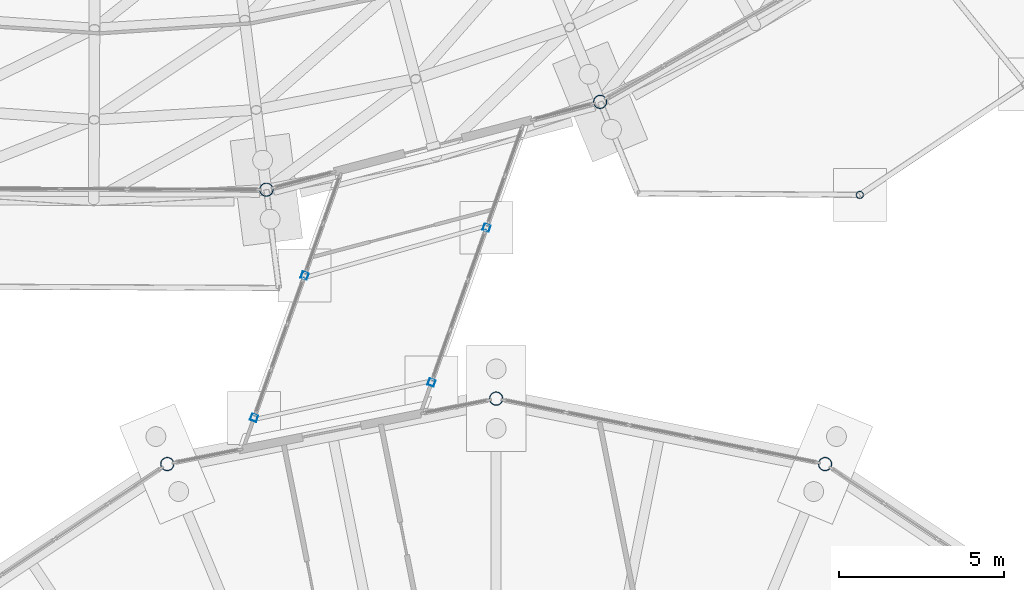
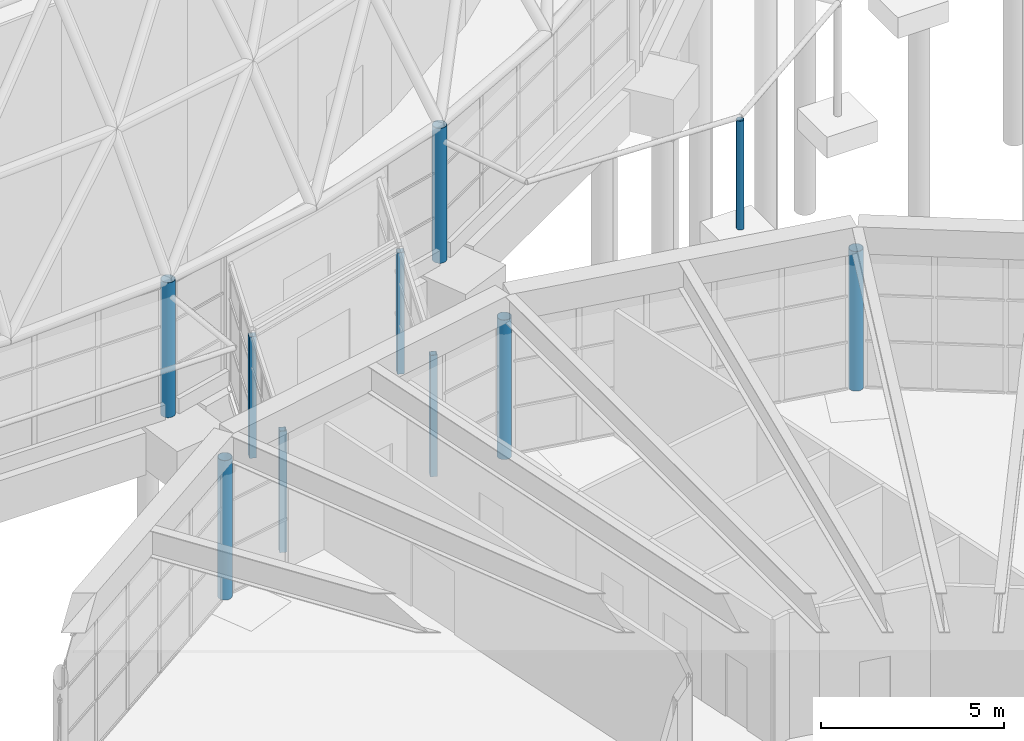
# One storey, part 32 of 226: 10 columns.
"""IFC4 building model written with IfcOpenShell, lengths in metres."""

from ifc_helpers import new_model, si_unit, direction, frame, origin, origin_2d, place, context, subcontext, project, spatial, hollow_rectangle, hollow_circle, extrude, material, material_profile, profile_set, type_object, element, save


model = new_model("IFC4")

# Units and contexts
model_context = context("Model", 3, precision=1e-05, world=origin(), true_north=direction((0.0, 1.0)))
body_context = subcontext(model_context, "Body", "Model", "MODEL_VIEW")
ifc_project = project(units=[si_unit("LENGTHUNIT", "METRE"), si_unit("AREAUNIT", "SQUARE_METRE"), si_unit("VOLUMEUNIT", "CUBIC_METRE"), si_unit("PLANEANGLEUNIT", "RADIAN"), si_unit("MASSUNIT", "GRAM", prefix="KILO")], contexts=[model_context])

# Site, building, storey
site_placement = place(None, origin())
site = spatial("IfcSite", under=ifc_project, at=site_placement, CompositionType="ELEMENT")
building_placement = place(site_placement, origin())
building = spatial("IfcBuilding", under=site, at=building_placement, Name="Ceibo Conservatory and Research Tower", CompositionType="ELEMENT")
storey_placement = place(building_placement, origin())
storey = spatial("IfcBuildingStorey", under=building, at=storey_placement, Name="L00", CompositionType="ELEMENT", Elevation=0.0)

# Columns
ifc_material_1 = material(Name="Steel ASTM A500 Gr C", Category="steel")
ifc_material_profile_1 = material_profile(ifc_material_1, hollow_circle(Radius=0.109619140625, WallThickness=0.00830078125, at=origin_2d()), Name="CHS column 219.1x8.18")
ifc_profile_set_1 = profile_set([ifc_material_profile_1], Name="Steel ASTM A500 Gr C")
column_type_1 = type_object("IfcColumnType", Name="CHS column 219.1x8.18", PredefinedType="COLUMN", material=ifc_profile_set_1)
column_placement = place(storey_placement, frame((179.0, 68.162841796875, 0.0), z_axis=(0.0, 0.0, 1.0), x_axis=(1.0, 0.0, 0.0)))
element("IfcColumn", 1, at=column_placement, inside=storey, type_object=column_type_1, Name="Colonnade column A-CL01", PredefinedType="COLUMN", context=body_context, shape_type="SweptSolid", body=[
    extrude(hollow_circle(Radius=0.109619140625, WallThickness=0.00830078125, at=origin_2d()), origin(), (0.0, 0.0, 1.0), 3.62841796875),
])
ifc_material_profile_2 = material_profile(ifc_material_1, hollow_circle(Radius=0.203125, WallThickness=0.0126953125, at=origin_2d()), Name="CHS column 406.4x12.70")
ifc_profile_set_2 = profile_set([ifc_material_profile_2], Name="Steel ASTM A500 Gr C")
column_type_2 = type_object("IfcColumnType", Name="CHS column 406.4x12.70", PredefinedType="COLUMN", material=ifc_profile_set_2)
for number, where, z_axis, x_axis, name in (
    (2, (161.0478515625, 68.31982421875, 0.0), (0.0, 0.0, 1.0), (1.0, 0.0, 0.0), "Drum column A-DC19"),
    (3, (171.14599609375, 70.978271484375, 0.0), (0.0, 0.0, 1.0), (1.0, 0.0, 0.0), "Drum column A-DC20"),
):
    element("IfcColumn", number, at=place(storey_placement, frame(where, z_axis=z_axis, x_axis=x_axis)), inside=storey, type_object=column_type_2, Name=name, PredefinedType="COLUMN", context=body_context, shape_type="SweptSolid", body=[
        extrude(hollow_circle(Radius=0.203125, WallThickness=0.0126953125, at=origin_2d()), origin(), (0.0, 0.0, 1.0), 4.5),
    ])
for number, where, z_axis, x_axis, name in (
    (4, (177.94970703125, 60.020751953125, 0.0), (0.0, 0.0, 1.0), (1.0, 0.0, 0.0), "Pavilion column VC-C04"),
    (5, (168.0, 62.0, 0.0), (0.0, 0.0, 1.0), (1.0, 0.0, 0.0), "Pavilion column VC-C05"),
    (6, (158.05029296875, 60.020751953125, 0.0), (0.0, 0.0, 1.0), (1.0, 0.0, 0.0), "Pavilion column VC-C06"),
):
    element("IfcColumn", number, at=place(storey_placement, frame(where, z_axis=z_axis, x_axis=x_axis)), inside=storey, type_object=column_type_2, Name=name, PredefinedType="COLUMN", context=body_context, shape_type="SweptSolid", body=[
        extrude(hollow_circle(Radius=0.203125, WallThickness=0.0126953125, at=origin_2d()), origin(), (0.0, 0.0, 1.0), 4.64892578125),
    ])
ifc_material_2 = material(Name="Steel S355J2H", Category="steel")
ifc_material_profile_3 = material_profile(ifc_material_2, hollow_rectangle(XDim=0.199951171875, YDim=0.199951171875, WallThickness=0.010009765625, at=origin_2d()), Name="RHS column 200x200x10")
ifc_profile_set_3 = profile_set([ifc_material_profile_3], Name="Steel S355J2H")
column_type_3 = type_object("IfcColumnType", Name="RHS column 200x200x10", PredefinedType="COLUMN", material=ifc_profile_set_3)
for number, where, z_axis, x_axis, name in (
    (7, (167.70947265625, 67.170166015625, -0.25), (0.0, 0.0, 1.0), (-0.335040023954, -0.942203896378, 0.0), "Gallery column A-VC-CN01"),
    (8, (162.2060546875, 65.72119140625, -0.25), (0.0, 0.0, 1.0), (-0.335040023954, -0.942203896378, 0.0), "Gallery column A-VC-CS01"),
    (9, (166.044189453125, 62.486572265625, -0.25), (0.0, 0.0, 1.0), (-0.335040023954, -0.942203896378, 0.0), "Gallery column A-VC-CN02"),
    (10, (160.67626953125, 61.418701171875, -0.25), (0.0, 0.0, 1.0), (-0.335040023954, -0.942203896378, 0.0), "Gallery column A-VC-CS02"),
):
    element("IfcColumn", number, at=place(storey_placement, frame(where, z_axis=z_axis, x_axis=x_axis)), inside=storey, type_object=column_type_3, Name=name, PredefinedType="COLUMN", context=body_context, shape_type="SweptSolid", body=[
        extrude(hollow_rectangle(XDim=0.199951171875, YDim=0.199951171875, WallThickness=0.010009765625, at=origin_2d()), origin(), (0.0, 0.0, 1.0), 4.050048828125),
    ])

save(model, "model.ifc")
